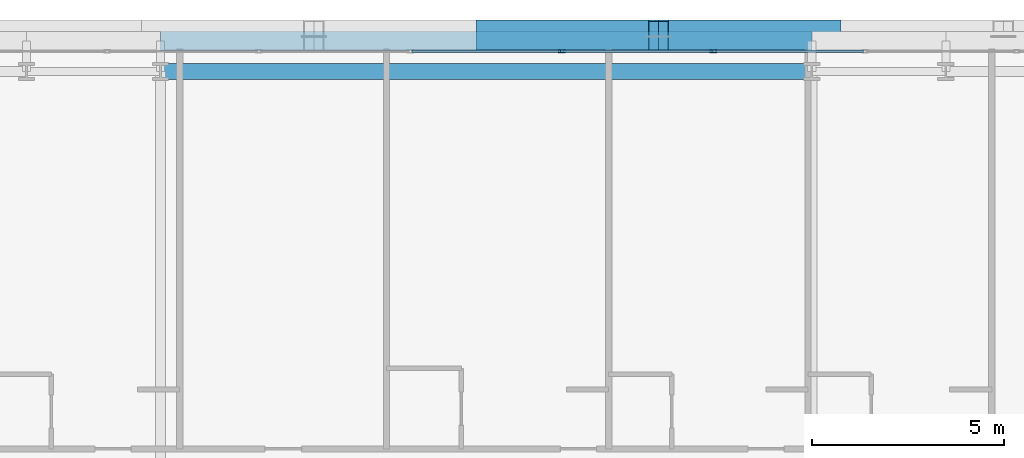
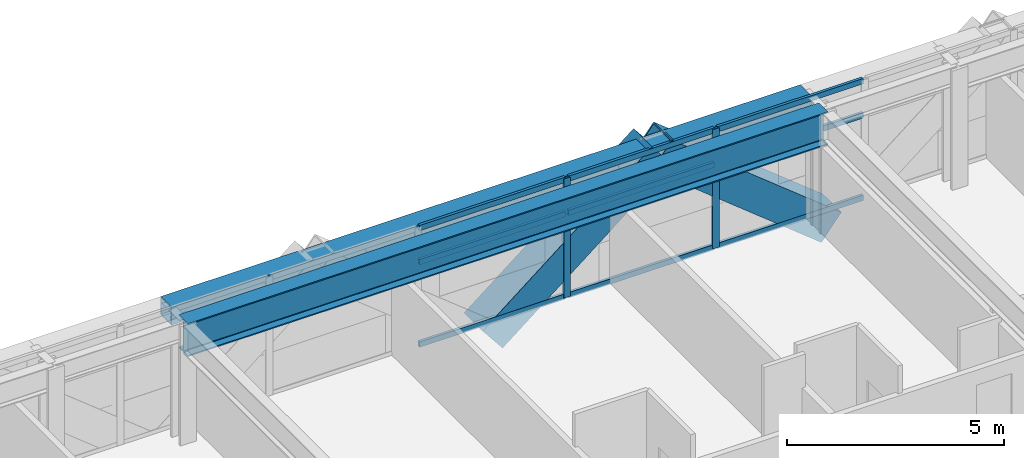
# One storey, part 19 of 35: 13 members, 2 beams, 1 element without a shape of its own.
"""IFC4 building model written with IfcOpenShell, lengths in metres."""

from ifc_helpers import new_model, si_unit, direction, frame, origin, origin_2d, place, context, subcontext, project, spatial, hollow_rectangle, i_section, extrude, source, transform, mapped, material, layer, layer_set, material_profile, profile_set, type_object, element, aggregate, save


model = new_model("IFC4")

# Units and contexts
model_context = context("Model", 3, precision=1e-05, world=origin(), true_north=direction((0.0, 1.0)))
body_context = subcontext(model_context, "Body", "Model", "MODEL_VIEW")
ifc_project = project(units=[si_unit("LENGTHUNIT", "METRE"), si_unit("AREAUNIT", "SQUARE_METRE"), si_unit("VOLUMEUNIT", "CUBIC_METRE"), si_unit("PLANEANGLEUNIT", "RADIAN"), si_unit("MASSUNIT", "GRAM", prefix="KILO")], contexts=[model_context])

# Site, building, storey
site_placement = place(None, origin())
site = spatial("IfcSite", under=ifc_project, at=site_placement, CompositionType="ELEMENT")
building_placement = place(site_placement, origin())
building = spatial("IfcBuilding", under=site, at=building_placement, Name="Ocotamira Hotel", CompositionType="ELEMENT")
storey_placement = place(building_placement, frame((0.0, 0.0, 70.800048828125)))
storey = spatial("IfcBuildingStorey", under=building, at=storey_placement, Name="L17", CompositionType="ELEMENT", Elevation=70.800048828125)

# Beams
ifc_material_1 = material(Name="Steel ASTM A992 Grade 50", Category="steel")
ifc_material_profile_1 = material_profile(ifc_material_1, i_section(OverallWidth=0.41796875, OverallDepth=0.927001953125, WebThickness=0.019287109375, FlangeThickness=0.031982421875, FilletRadius=0.02392578125, at=origin_2d()), Name="W36X231")
ifc_profile_set_1 = profile_set([ifc_material_profile_1], Name="Steel ASTM A992 Grade 50")
beam_type_1 = type_object("IfcBeamType", Name="BM-GIRD-W36X231", PredefinedType="BEAM", material=ifc_profile_set_1)
shared_shape_1 = source(origin(), body_context, "Body", "SweptSolid", [
    extrude(i_section(OverallWidth=0.41796875, OverallDepth=0.927001953125, WebThickness=0.019287109375, FlangeThickness=0.031982421875, FilletRadius=0.02392578125, at=origin_2d()), origin(), (0.0, 0.0, 1.0), 17.0),
])
beam_1_placement = place(storey_placement, frame((23.5, 49.050048828125, 2.886474609375), z_axis=(1.0, 0.0, 0.0), x_axis=(0.0, 1.0, 0.0)))
element("IfcBeam", 1, at=beam_1_placement, inside=storey, type_object=beam_type_1, Name="L17 Girder Y49.05 X23.5-40.5", PredefinedType="BEAM", context=body_context, shape_type="MappedRepresentation", body=[
    mapped(shared_shape_1, transform((0.0, 0.0, 0.0), scale=1.0)),
])
ifc_material_2 = material(Name="Steel ASTM A500 Grade C", Category="steel")
ifc_material_profile_2 = material_profile(ifc_material_2, hollow_rectangle(XDim=0.5, YDim=0.5, WallThickness=0.02001953125, at=origin_2d()), Name="HSS500X500X20")
ifc_profile_set_2 = profile_set([ifc_material_profile_2], Name="Steel ASTM A500 Grade C")
beam_type_2 = type_object("IfcBeamType", Name="BM-SPAN-HSS500", PredefinedType="USERDEFINED", material=ifc_profile_set_2)
shared_shape_2 = source(origin(), body_context, "Body", "SweptSolid", [
    extrude(hollow_rectangle(XDim=0.5, YDim=0.5, WallThickness=0.02001953125, at=origin_2d()), origin(), (0.0, 0.0, 1.0), 17.0),
])
beam_2_placement = place(storey_placement, frame((23.5, 49.85009765625, 3.099853515625), z_axis=(1.0, 0.0, 0.0), x_axis=(0.0, 1.0, 0.0)))
element("IfcBeam", 2, at=beam_2_placement, inside=storey, type_object=beam_type_2, Name="L17 Edge Spandrel N X23.5-40.5", ObjectType="SPANDREL", PredefinedType="USERDEFINED", context=body_context, shape_type="MappedRepresentation", body=[
    mapped(shared_shape_2, transform((0.0, 0.0, 0.0), scale=1.0)),
])

# Members
ifc_material_3 = material(Name="Pale-metal coated steel ASTM A913 Grade 65", Category="steel")
ifc_material_profile_3 = material_profile(ifc_material_3, hollow_rectangle(XDim=0.85009765625, YDim=0.85009765625, WallThickness=0.035888671875, at=origin_2d()), Name="BOX850X850X36")
ifc_profile_set_3 = profile_set([ifc_material_profile_3], Name="Pale-metal coated steel ASTM A913 Grade 65")
member_type_1 = type_object("IfcMemberType", Name="MEM-EXO-BOX850", PredefinedType="BRACE", material=ifc_profile_set_3)
shared_shape_3 = source(origin(), body_context, "Body", "SweptSolid", [
    extrude(hollow_rectangle(XDim=0.85009765625, YDim=0.85009765625, WallThickness=0.035888671875, at=origin_2d()), origin(), (0.0, 0.0, 1.0), 5.7626953125),
])
for number, where, z_axis, x_axis, name in (
    (3, (32.0, 49.969970703125, -0.5), (0.780881208953, 0.0, 0.624679547852), (0.0, 1.0, 0.0), "L17 Exoskeleton Diagrid N2.1"),
    (4, (41.0, 49.969970703125, -0.5), (-0.780881208953, 0.0, 0.624679547852), (0.0, -1.0, 0.0), "L17 Exoskeleton Diagrid N2.2"),
):
    element("IfcMember", number, at=place(storey_placement, frame(where, z_axis=z_axis, x_axis=x_axis)), inside=storey, type_object=member_type_1, Name=name, PredefinedType="BRACE", context=body_context, shape_type="MappedRepresentation", body=[
        mapped(shared_shape_3, transform((0.0, 0.0, 0.0), scale=1.0)),
    ])

# Curtain wall, members
ifc_material_4 = material(Name="Anodised pale-metal aluminium and solar glass", Category="aluminium")
ifc_layer = layer(ifc_material_4, 0.179931640625)
ifc_layer_set = layer_set([ifc_layer], Name="Anodised pale-metal aluminium and solar glass")
curtain_wall_type = type_object("IfcCurtainWallType", Name="CW-SYS2-Z1", PredefinedType="NOTDEFINED", material=ifc_layer_set)
curtain_wall_placement = place(storey_placement, origin())
curtain_wall = element("IfcCurtainWall", 5, at=curtain_wall_placement, inside=storey, type_object=curtain_wall_type, Name="L17 Curtain Wall CW-2 CW-L17-N", PredefinedType="NOTDEFINED")
ifc_material_5 = material(Name="Anodised pale-metal aluminium 6063-T6", Category="aluminium")
ifc_material_profile_4 = material_profile(ifc_material_5, hollow_rectangle(XDim=0.080078125, YDim=0.179931640625, WallThickness=0.006103515625, at=origin_2d()), Name="HSS180X80X6")
ifc_profile_set_4 = profile_set([ifc_material_profile_4], Name="Anodised pale-metal aluminium 6063-T6")
member_type_2 = type_object("IfcMemberType", Name="CWM-180X75", PredefinedType="MULLION", material=ifc_profile_set_4)
shared_shape_4 = source(origin(), body_context, "Body", "SweptSolid", [
    extrude(hollow_rectangle(XDim=0.080078125, YDim=0.179931640625, WallThickness=0.006103515625, at=origin_2d()), origin(), (0.0, 0.0, 1.0), 3.349853515625),
])
member_1_placement = place(storey_placement, frame((33.977783203125, 49.580078125, 0.0), z_axis=(0.0, 0.0, 1.0), x_axis=(0.0, 1.0, 0.0)))
member_1 = element("IfcMember", 6, at=member_1_placement, type_object=member_type_2, Name="CW-2 mullion 6", PredefinedType="MULLION", context=body_context, shape_type="MappedRepresentation", body=[
    mapped(shared_shape_4, transform((0.0, 0.0, 0.0), scale=1.0)),
])
member_2_placement = place(storey_placement, frame((37.933349609375, 49.580078125, 0.0), z_axis=(0.0, 0.0, 1.0), x_axis=(0.0, 1.0, 0.0)))
member_2 = element("IfcMember", 7, at=member_2_placement, type_object=member_type_2, Name="CW-2 mullion 7", PredefinedType="MULLION", context=body_context, shape_type="MappedRepresentation", body=[
    mapped(shared_shape_4, transform((0.0, 0.0, 0.0), scale=1.0)),
])
ifc_material_profile_5 = material_profile(ifc_material_5, hollow_rectangle(XDim=0.074951171875, YDim=0.14990234375, WallThickness=0.006103515625, at=origin_2d()), Name="HSS150X75X6")
ifc_profile_set_5 = profile_set([ifc_material_profile_5], Name="Anodised pale-metal aluminium 6063-T6")
member_type_3 = type_object("IfcMemberType", Name="CWT-150X75", PredefinedType="USERDEFINED", material=ifc_profile_set_5)
shared_shape_5 = source(origin(), body_context, "Body", "SweptSolid", [
    extrude(hollow_rectangle(XDim=0.074951171875, YDim=0.14990234375, WallThickness=0.006103515625, at=origin_2d()), origin(), (0.0, 0.0, 1.0), 3.87548828125),
])
member_3_placement = place(storey_placement, frame((30.062255859375, 49.580078125, 0.037353515625), z_axis=(1.0, 0.0, 0.0), x_axis=(0.0, 1.0, 0.0)))
member_3 = element("IfcMember", 8, at=member_3_placement, type_object=member_type_3, Name="CW-2 transom 5.1", ObjectType="TRANSOM", PredefinedType="USERDEFINED", context=body_context, shape_type="MappedRepresentation", body=[
    mapped(shared_shape_5, transform((0.0, 0.0, 0.0), scale=1.0)),
])
member_4_placement = place(storey_placement, frame((30.062255859375, 49.580078125, 2.349853515625), z_axis=(1.0, 0.0, 0.0), x_axis=(0.0, 1.0, 0.0)))
member_4 = element("IfcMember", 9, at=member_4_placement, type_object=member_type_3, Name="CW-2 transom 5.2", ObjectType="TRANSOM", PredefinedType="USERDEFINED", context=body_context, shape_type="MappedRepresentation", body=[
    mapped(shared_shape_5, transform((0.0, 0.0, 0.0), scale=1.0)),
])
member_5_placement = place(storey_placement, frame((30.062255859375, 49.580078125, 3.3125), z_axis=(1.0, 0.0, 0.0), x_axis=(0.0, 1.0, 0.0)))
member_5 = element("IfcMember", 10, at=member_5_placement, type_object=member_type_3, Name="CW-2 transom 5.3", ObjectType="TRANSOM", PredefinedType="USERDEFINED", context=body_context, shape_type="MappedRepresentation", body=[
    mapped(shared_shape_5, transform((0.0, 0.0, 0.0), scale=1.0)),
])
member_6_placement = place(storey_placement, frame((34.017822265625, 49.580078125, 0.037353515625), z_axis=(1.0, 0.0, 0.0), x_axis=(0.0, 1.0, 0.0)))
member_6 = element("IfcMember", 11, at=member_6_placement, type_object=member_type_3, Name="CW-2 transom 6.1", ObjectType="TRANSOM", PredefinedType="USERDEFINED", context=body_context, shape_type="MappedRepresentation", body=[
    mapped(shared_shape_5, transform((0.0, 0.0, 0.0), scale=1.0)),
])
member_7_placement = place(storey_placement, frame((34.017822265625, 49.580078125, 2.349853515625), z_axis=(1.0, 0.0, 0.0), x_axis=(0.0, 1.0, 0.0)))
member_7 = element("IfcMember", 12, at=member_7_placement, type_object=member_type_3, Name="CW-2 transom 6.2", ObjectType="TRANSOM", PredefinedType="USERDEFINED", context=body_context, shape_type="MappedRepresentation", body=[
    mapped(shared_shape_5, transform((0.0, 0.0, 0.0), scale=1.0)),
])
member_8_placement = place(storey_placement, frame((34.017822265625, 49.580078125, 3.3125), z_axis=(1.0, 0.0, 0.0), x_axis=(0.0, 1.0, 0.0)))
member_8 = element("IfcMember", 13, at=member_8_placement, type_object=member_type_3, Name="CW-2 transom 6.3", ObjectType="TRANSOM", PredefinedType="USERDEFINED", context=body_context, shape_type="MappedRepresentation", body=[
    mapped(shared_shape_5, transform((0.0, 0.0, 0.0), scale=1.0)),
])
member_9_placement = place(storey_placement, frame((37.973388671875, 49.580078125, 0.037353515625), z_axis=(1.0, 0.0, 0.0), x_axis=(0.0, 1.0, 0.0)))
member_9 = element("IfcMember", 14, at=member_9_placement, type_object=member_type_3, Name="CW-2 transom 7.1", ObjectType="TRANSOM", PredefinedType="USERDEFINED", context=body_context, shape_type="MappedRepresentation", body=[
    mapped(shared_shape_5, transform((0.0, 0.0, 0.0), scale=1.0)),
])
member_10_placement = place(storey_placement, frame((37.973388671875, 49.580078125, 2.349853515625), z_axis=(1.0, 0.0, 0.0), x_axis=(0.0, 1.0, 0.0)))
member_10 = element("IfcMember", 15, at=member_10_placement, type_object=member_type_3, Name="CW-2 transom 7.2", ObjectType="TRANSOM", PredefinedType="USERDEFINED", context=body_context, shape_type="MappedRepresentation", body=[
    mapped(shared_shape_5, transform((0.0, 0.0, 0.0), scale=1.0)),
])
member_11_placement = place(storey_placement, frame((37.973388671875, 49.580078125, 3.3125), z_axis=(1.0, 0.0, 0.0), x_axis=(0.0, 1.0, 0.0)))
member_11 = element("IfcMember", 16, at=member_11_placement, type_object=member_type_3, Name="CW-2 transom 7.3", ObjectType="TRANSOM", PredefinedType="USERDEFINED", context=body_context, shape_type="MappedRepresentation", body=[
    mapped(shared_shape_5, transform((0.0, 0.0, 0.0), scale=1.0)),
])
aggregate(curtain_wall, [member_1, member_2, member_3, member_4, member_5, member_6, member_7, member_8, member_9, member_10, member_11])

save(model, "model.ifc")
